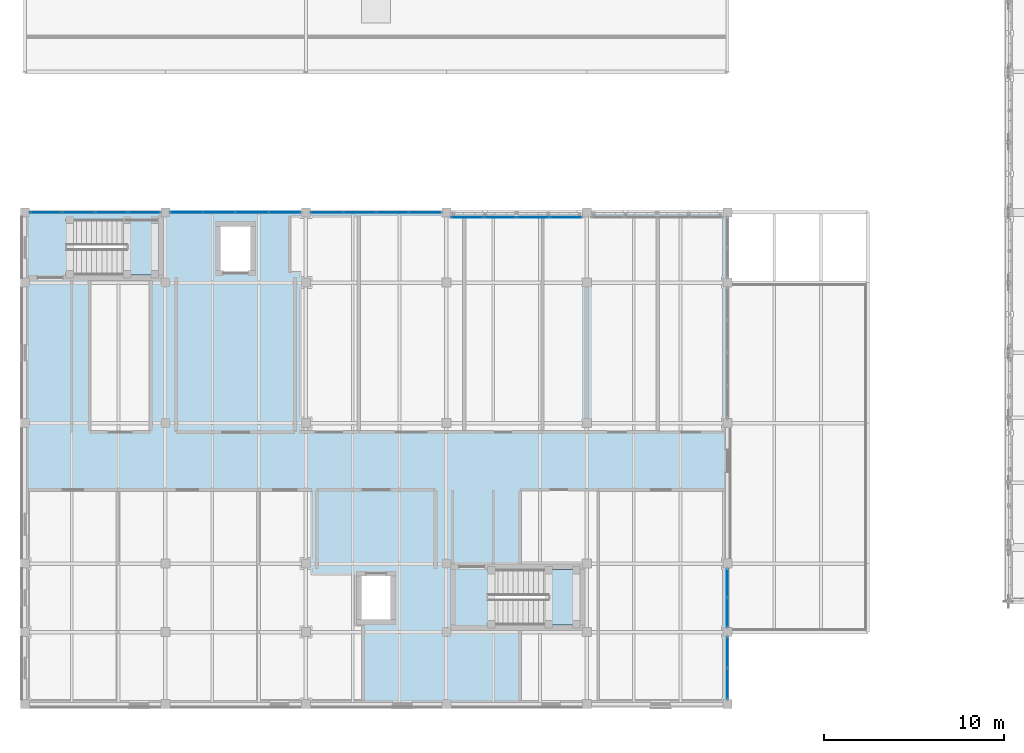
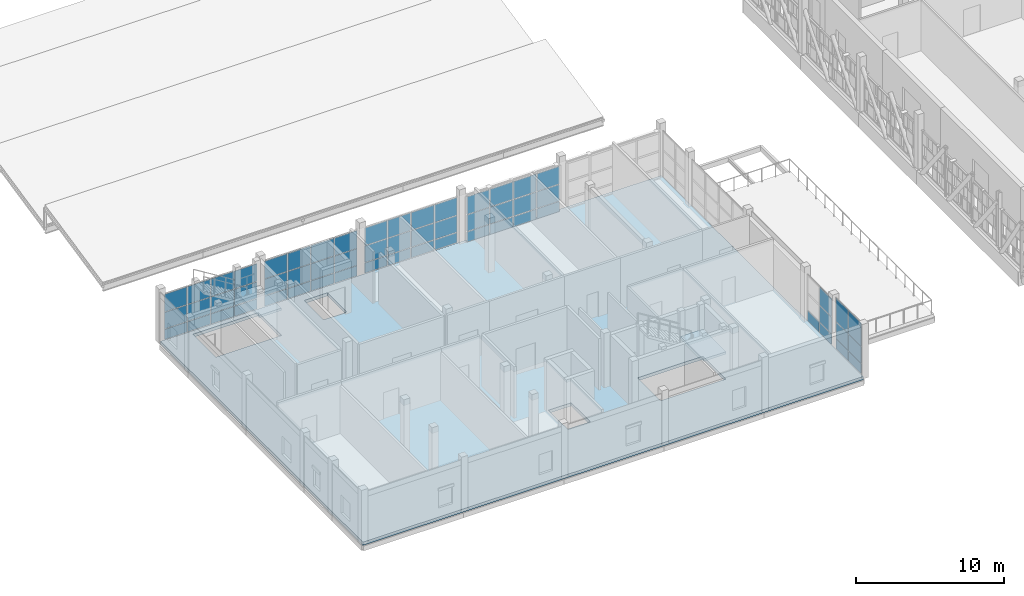
# One storey, part 44 of 89: 58 plates, 3 slabs, 8 elements without a shape of their own.
"""IFC4 building model written with IfcOpenShell, lengths in metres."""

from ifc_helpers import new_model, si_unit, direction, frame, origin, origin_2d, place, context, subcontext, project, spatial, polyline, rectangle, outline, extrude, material, layer, layer_set, type_object, element, aggregate, save


model = new_model("IFC4")

# Units and contexts
model_context = context("Model", 3, precision=1e-05, world=origin(), true_north=direction((0.0, 1.0)))
body_context = subcontext(model_context, "Body", "Model", "MODEL_VIEW")
ifc_project = project(units=[si_unit("LENGTHUNIT", "METRE"), si_unit("AREAUNIT", "SQUARE_METRE"), si_unit("VOLUMEUNIT", "CUBIC_METRE"), si_unit("PLANEANGLEUNIT", "RADIAN"), si_unit("MASSUNIT", "GRAM", prefix="KILO")], contexts=[model_context])

# Site, building, storey
site_placement = place(None, origin())
site = spatial("IfcSite", under=ifc_project, at=site_placement, CompositionType="ELEMENT")
building_placement = place(site_placement, origin())
building = spatial("IfcBuilding", under=site, at=building_placement, Name="Celorna Specialist Clinic", CompositionType="ELEMENT")
storey_placement = place(building_placement, frame((0.0, 0.0, 14.10009765625)))
storey = spatial("IfcBuildingStorey", under=building, at=storey_placement, Name="L03", CompositionType="ELEMENT", Elevation=14.10009765625)

# Curtain wall, plates
ifc_material_1 = material(Name="Thermally broken aluminium and solar-control glass curtain wall", Category="aluminium")
ifc_layer_1 = layer(ifc_material_1, 0.159912109375, Name="Thermally broken aluminium and solar-control glass curtain wall")
ifc_layer_set_1 = layer_set([ifc_layer_1], Name="Thermally broken aluminium and solar-control glass curtain wall")
curtain_wall_type_1 = type_object("IfcCurtainWallType", Name="CW-96", PredefinedType="NOTDEFINED", material=ifc_layer_set_1)
curtain_wall_1_placement = place(storey_placement, origin())
curtain_wall_1 = element("IfcCurtainWall", 1, at=curtain_wall_1_placement, inside=storey, type_object=curtain_wall_type_1, Name="Curtain wall CW-96 #172", PredefinedType="NOTDEFINED")
ifc_material_2 = material(Name="Low-e double glazing", Category="glass")
ifc_layer_2 = layer(ifc_material_2, 0.028076171875, Name="Low-e double glazing")
ifc_layer_set_2 = layer_set([ifc_layer_2], Name="Low-e double glazing")
plate_type_1 = type_object("IfcPlateType", Name="CPN-01", PredefinedType="CURTAIN_PANEL", material=ifc_layer_set_2)
plate_1_placement = place(storey_placement, frame((16.778076171875, 27.300048828125, 0.0498046875), z_axis=(0.0, 0.0, 1.0), x_axis=(1.0, 0.0, 0.0)))
plate_1 = element("IfcPlate", 2, at=plate_1_placement, type_object=plate_type_1, Name="CW-96 panel 1.1", PredefinedType="CURTAIN_PANEL", context=body_context, shape_type="SweptSolid", body=[
    extrude(rectangle(XDim=1.748046875, YDim=0.028076171875, at=origin_2d()), origin(), (0.0, 0.0, 1.0), 0.824951171875),
])
plate_2_placement = place(storey_placement, frame((16.778076171875, 27.300048828125, 0.9248046875), z_axis=(0.0, 0.0, 1.0), x_axis=(1.0, 0.0, 0.0)))
plate_2 = element("IfcPlate", 3, at=plate_2_placement, type_object=plate_type_1, Name="CW-96 panel 1.2", PredefinedType="CURTAIN_PANEL", context=body_context, shape_type="SweptSolid", body=[
    extrude(rectangle(XDim=1.748046875, YDim=0.028076171875, at=origin_2d()), origin(), (0.0, 0.0, 1.0), 1.35009765625),
])
plate_3_placement = place(storey_placement, frame((16.778076171875, 27.300048828125, 2.32470703125), z_axis=(0.0, 0.0, 1.0), x_axis=(1.0, 0.0, 0.0)))
plate_3 = element("IfcPlate", 4, at=plate_3_placement, type_object=plate_type_1, Name="CW-96 panel 1.3", PredefinedType="CURTAIN_PANEL", context=body_context, shape_type="SweptSolid", body=[
    extrude(rectangle(XDim=1.748046875, YDim=0.028076171875, at=origin_2d()), origin(), (0.0, 0.0, 1.0), 1.445068359375),
])
plate_4_placement = place(storey_placement, frame((18.58837890625, 27.300048828125, 0.0498046875), z_axis=(0.0, 0.0, 1.0), x_axis=(1.0, 0.0, 0.0)))
plate_4 = element("IfcPlate", 5, at=plate_4_placement, type_object=plate_type_1, Name="CW-96 panel 2.1", PredefinedType="CURTAIN_PANEL", context=body_context, shape_type="SweptSolid", body=[
    extrude(rectangle(XDim=1.77294921875, YDim=0.028076171875, at=origin_2d()), origin(), (0.0, 0.0, 1.0), 0.824951171875),
])
plate_5_placement = place(storey_placement, frame((18.58837890625, 27.300048828125, 0.9248046875), z_axis=(0.0, 0.0, 1.0), x_axis=(1.0, 0.0, 0.0)))
plate_5 = element("IfcPlate", 6, at=plate_5_placement, type_object=plate_type_1, Name="CW-96 panel 2.2", PredefinedType="CURTAIN_PANEL", context=body_context, shape_type="SweptSolid", body=[
    extrude(rectangle(XDim=1.77294921875, YDim=0.028076171875, at=origin_2d()), origin(), (0.0, 0.0, 1.0), 1.35009765625),
])
plate_6_placement = place(storey_placement, frame((18.58837890625, 27.300048828125, 2.32470703125), z_axis=(0.0, 0.0, 1.0), x_axis=(1.0, 0.0, 0.0)))
plate_6 = element("IfcPlate", 7, at=plate_6_placement, type_object=plate_type_1, Name="CW-96 panel 2.3", PredefinedType="CURTAIN_PANEL", context=body_context, shape_type="SweptSolid", body=[
    extrude(rectangle(XDim=1.77294921875, YDim=0.028076171875, at=origin_2d()), origin(), (0.0, 0.0, 1.0), 1.445068359375),
])
plate_7_placement = place(storey_placement, frame((20.41162109375, 27.300048828125, 0.0498046875), z_axis=(0.0, 0.0, 1.0), x_axis=(1.0, 0.0, 0.0)))
plate_7 = element("IfcPlate", 8, at=plate_7_placement, type_object=plate_type_1, Name="CW-96 panel 3.1", PredefinedType="CURTAIN_PANEL", context=body_context, shape_type="SweptSolid", body=[
    extrude(rectangle(XDim=1.77294921875, YDim=0.028076171875, at=origin_2d()), origin(), (0.0, 0.0, 1.0), 0.824951171875),
])
plate_8_placement = place(storey_placement, frame((20.41162109375, 27.300048828125, 0.9248046875), z_axis=(0.0, 0.0, 1.0), x_axis=(1.0, 0.0, 0.0)))
plate_8 = element("IfcPlate", 9, at=plate_8_placement, type_object=plate_type_1, Name="CW-96 panel 3.2", PredefinedType="CURTAIN_PANEL", context=body_context, shape_type="SweptSolid", body=[
    extrude(rectangle(XDim=1.77294921875, YDim=0.028076171875, at=origin_2d()), origin(), (0.0, 0.0, 1.0), 1.35009765625),
])
plate_9_placement = place(storey_placement, frame((20.41162109375, 27.300048828125, 2.32470703125), z_axis=(0.0, 0.0, 1.0), x_axis=(1.0, 0.0, 0.0)))
plate_9 = element("IfcPlate", 10, at=plate_9_placement, type_object=plate_type_1, Name="CW-96 panel 3.3", PredefinedType="CURTAIN_PANEL", context=body_context, shape_type="SweptSolid", body=[
    extrude(rectangle(XDim=1.77294921875, YDim=0.028076171875, at=origin_2d()), origin(), (0.0, 0.0, 1.0), 1.445068359375),
])
plate_10_placement = place(storey_placement, frame((22.221923828125, 27.300048828125, 0.0498046875), z_axis=(0.0, 0.0, 1.0), x_axis=(1.0, 0.0, 0.0)))
plate_10 = element("IfcPlate", 11, at=plate_10_placement, type_object=plate_type_1, Name="CW-96 panel 4.1", PredefinedType="CURTAIN_PANEL", context=body_context, shape_type="SweptSolid", body=[
    extrude(rectangle(XDim=1.748046875, YDim=0.028076171875, at=origin_2d()), origin(), (0.0, 0.0, 1.0), 0.824951171875),
])
plate_11_placement = place(storey_placement, frame((22.221923828125, 27.300048828125, 0.9248046875), z_axis=(0.0, 0.0, 1.0), x_axis=(1.0, 0.0, 0.0)))
plate_11 = element("IfcPlate", 12, at=plate_11_placement, type_object=plate_type_1, Name="CW-96 panel 4.2", PredefinedType="CURTAIN_PANEL", context=body_context, shape_type="SweptSolid", body=[
    extrude(rectangle(XDim=1.748046875, YDim=0.028076171875, at=origin_2d()), origin(), (0.0, 0.0, 1.0), 1.35009765625),
])
plate_12_placement = place(storey_placement, frame((22.221923828125, 27.300048828125, 2.32470703125), z_axis=(0.0, 0.0, 1.0), x_axis=(1.0, 0.0, 0.0)))
plate_12 = element("IfcPlate", 13, at=plate_12_placement, type_object=plate_type_1, Name="CW-96 panel 4.3", PredefinedType="CURTAIN_PANEL", context=body_context, shape_type="SweptSolid", body=[
    extrude(rectangle(XDim=1.748046875, YDim=0.028076171875, at=origin_2d()), origin(), (0.0, 0.0, 1.0), 1.445068359375),
])
aggregate(curtain_wall_1, [plate_1, plate_2, plate_3, plate_4, plate_5, plate_6, plate_7, plate_8, plate_9, plate_10, plate_11, plate_12])

ifc_layer_3 = layer(ifc_material_1, 0.159912109375, Name="Thermally broken aluminium and solar-control glass curtain wall")
ifc_layer_set_3 = layer_set([ifc_layer_3], Name="Thermally broken aluminium and solar-control glass curtain wall")
curtain_wall_type_2 = type_object("IfcCurtainWallType", Name="CW-94", PredefinedType="NOTDEFINED", material=ifc_layer_set_3)
curtain_wall_2_placement = place(storey_placement, origin())
curtain_wall_2 = element("IfcCurtainWall", 14, at=curtain_wall_2_placement, inside=storey, type_object=curtain_wall_type_2, Name="Curtain wall CW-94 #170", PredefinedType="NOTDEFINED")
ifc_material_3 = material(Name="Solar-control triple glazing", Category="glass")
ifc_layer_4 = layer(ifc_material_3, 0.035888671875, Name="Solar-control triple glazing")
ifc_layer_set_4 = layer_set([ifc_layer_4], Name="Solar-control triple glazing")
plate_type_2 = type_object("IfcPlateType", Name="CPN-02", PredefinedType="CURTAIN_PANEL", material=ifc_layer_set_4)
plate_13_placement = place(storey_placement, frame((1.177978515625, 27.300048828125, 0.0498046875), z_axis=(0.0, 0.0, 1.0), x_axis=(1.0, 0.0, 0.0)))
plate_13 = element("IfcPlate", 15, at=plate_13_placement, type_object=plate_type_2, Name="CW-94 panel 1.1", PredefinedType="CURTAIN_PANEL", context=body_context, shape_type="SweptSolid", body=[
    extrude(rectangle(XDim=1.748046875, YDim=0.035888671875, at=origin_2d()), origin(), (0.0, 0.0, 1.0), 0.824951171875),
])
plate_14_placement = place(storey_placement, frame((1.177978515625, 27.300048828125, 0.9248046875), z_axis=(0.0, 0.0, 1.0), x_axis=(1.0, 0.0, 0.0)))
plate_14 = element("IfcPlate", 16, at=plate_14_placement, type_object=plate_type_2, Name="CW-94 panel 1.2", PredefinedType="CURTAIN_PANEL", context=body_context, shape_type="SweptSolid", body=[
    extrude(rectangle(XDim=1.748046875, YDim=0.035888671875, at=origin_2d()), origin(), (0.0, 0.0, 1.0), 1.35009765625),
])
plate_15_placement = place(storey_placement, frame((1.177978515625, 27.300048828125, 2.32470703125), z_axis=(0.0, 0.0, 1.0), x_axis=(1.0, 0.0, 0.0)))
plate_15 = element("IfcPlate", 17, at=plate_15_placement, type_object=plate_type_2, Name="CW-94 panel 1.3", PredefinedType="CURTAIN_PANEL", context=body_context, shape_type="SweptSolid", body=[
    extrude(rectangle(XDim=1.748046875, YDim=0.035888671875, at=origin_2d()), origin(), (0.0, 0.0, 1.0), 1.445068359375),
])
plate_16_placement = place(storey_placement, frame((2.988525390625, 27.300048828125, 0.0498046875), z_axis=(0.0, 0.0, 1.0), x_axis=(1.0, 0.0, 0.0)))
plate_16 = element("IfcPlate", 18, at=plate_16_placement, type_object=plate_type_2, Name="CW-94 panel 2.1", PredefinedType="CURTAIN_PANEL", context=body_context, shape_type="SweptSolid", body=[
    extrude(rectangle(XDim=1.77294921875, YDim=0.035888671875, at=origin_2d()), origin(), (0.0, 0.0, 1.0), 0.824951171875),
])
plate_17_placement = place(storey_placement, frame((2.988525390625, 27.300048828125, 0.9248046875), z_axis=(0.0, 0.0, 1.0), x_axis=(1.0, 0.0, 0.0)))
plate_17 = element("IfcPlate", 19, at=plate_17_placement, type_object=plate_type_2, Name="CW-94 panel 2.2", PredefinedType="CURTAIN_PANEL", context=body_context, shape_type="SweptSolid", body=[
    extrude(rectangle(XDim=1.77294921875, YDim=0.035888671875, at=origin_2d()), origin(), (0.0, 0.0, 1.0), 1.35009765625),
])
plate_18_placement = place(storey_placement, frame((2.988525390625, 27.300048828125, 2.32470703125), z_axis=(0.0, 0.0, 1.0), x_axis=(1.0, 0.0, 0.0)))
plate_18 = element("IfcPlate", 20, at=plate_18_placement, type_object=plate_type_2, Name="CW-94 panel 2.3", PredefinedType="CURTAIN_PANEL", context=body_context, shape_type="SweptSolid", body=[
    extrude(rectangle(XDim=1.77294921875, YDim=0.035888671875, at=origin_2d()), origin(), (0.0, 0.0, 1.0), 1.445068359375),
])
plate_19_placement = place(storey_placement, frame((4.8115234375, 27.300048828125, 0.0498046875), z_axis=(0.0, 0.0, 1.0), x_axis=(1.0, 0.0, 0.0)))
plate_19 = element("IfcPlate", 21, at=plate_19_placement, type_object=plate_type_2, Name="CW-94 panel 3.1", PredefinedType="CURTAIN_PANEL", context=body_context, shape_type="SweptSolid", body=[
    extrude(rectangle(XDim=1.77294921875, YDim=0.035888671875, at=origin_2d()), origin(), (0.0, 0.0, 1.0), 0.824951171875),
])
plate_20_placement = place(storey_placement, frame((4.8115234375, 27.300048828125, 0.9248046875), z_axis=(0.0, 0.0, 1.0), x_axis=(1.0, 0.0, 0.0)))
plate_20 = element("IfcPlate", 22, at=plate_20_placement, type_object=plate_type_2, Name="CW-94 panel 3.2", PredefinedType="CURTAIN_PANEL", context=body_context, shape_type="SweptSolid", body=[
    extrude(rectangle(XDim=1.77294921875, YDim=0.035888671875, at=origin_2d()), origin(), (0.0, 0.0, 1.0), 1.35009765625),
])
plate_21_placement = place(storey_placement, frame((4.8115234375, 27.300048828125, 2.32470703125), z_axis=(0.0, 0.0, 1.0), x_axis=(1.0, 0.0, 0.0)))
plate_21 = element("IfcPlate", 23, at=plate_21_placement, type_object=plate_type_2, Name="CW-94 panel 3.3", PredefinedType="CURTAIN_PANEL", context=body_context, shape_type="SweptSolid", body=[
    extrude(rectangle(XDim=1.77294921875, YDim=0.035888671875, at=origin_2d()), origin(), (0.0, 0.0, 1.0), 1.445068359375),
])
plate_22_placement = place(storey_placement, frame((6.6220703125, 27.300048828125, 0.0498046875), z_axis=(0.0, 0.0, 1.0), x_axis=(1.0, 0.0, 0.0)))
plate_22 = element("IfcPlate", 24, at=plate_22_placement, type_object=plate_type_2, Name="CW-94 panel 4.1", PredefinedType="CURTAIN_PANEL", context=body_context, shape_type="SweptSolid", body=[
    extrude(rectangle(XDim=1.748046875, YDim=0.035888671875, at=origin_2d()), origin(), (0.0, 0.0, 1.0), 0.824951171875),
])
plate_23_placement = place(storey_placement, frame((6.6220703125, 27.300048828125, 0.9248046875), z_axis=(0.0, 0.0, 1.0), x_axis=(1.0, 0.0, 0.0)))
plate_23 = element("IfcPlate", 25, at=plate_23_placement, type_object=plate_type_2, Name="CW-94 panel 4.2", PredefinedType="CURTAIN_PANEL", context=body_context, shape_type="SweptSolid", body=[
    extrude(rectangle(XDim=1.748046875, YDim=0.035888671875, at=origin_2d()), origin(), (0.0, 0.0, 1.0), 1.35009765625),
])
plate_24_placement = place(storey_placement, frame((6.6220703125, 27.300048828125, 2.32470703125), z_axis=(0.0, 0.0, 1.0), x_axis=(1.0, 0.0, 0.0)))
plate_24 = element("IfcPlate", 26, at=plate_24_placement, type_object=plate_type_2, Name="CW-94 panel 4.3", PredefinedType="CURTAIN_PANEL", context=body_context, shape_type="SweptSolid", body=[
    extrude(rectangle(XDim=1.748046875, YDim=0.035888671875, at=origin_2d()), origin(), (0.0, 0.0, 1.0), 1.445068359375),
])
aggregate(curtain_wall_2, [plate_13, plate_14, plate_15, plate_16, plate_17, plate_18, plate_19, plate_20, plate_21, plate_22, plate_23, plate_24])

curtain_wall_3_placement = place(storey_placement, origin())
curtain_wall_3 = element("IfcCurtainWall", 27, at=curtain_wall_3_placement, inside=storey, type_object=curtain_wall_type_2, Name="Curtain wall CW-94 #173", PredefinedType="NOTDEFINED")
plate_25_placement = place(storey_placement, frame((24.577880859375, 27.02001953125, 0.0498046875), z_axis=(0.0, 0.0, 1.0), x_axis=(1.0, 0.0, 0.0)))
plate_25 = element("IfcPlate", 28, at=plate_25_placement, type_object=plate_type_2, Name="CW-94 panel 1.1", PredefinedType="CURTAIN_PANEL", context=body_context, shape_type="SweptSolid", body=[
    extrude(rectangle(XDim=1.748046875, YDim=0.035888671875, at=origin_2d()), origin(), (0.0, 0.0, 1.0), 0.824951171875),
])
plate_26_placement = place(storey_placement, frame((24.577880859375, 27.02001953125, 0.9248046875), z_axis=(0.0, 0.0, 1.0), x_axis=(1.0, 0.0, 0.0)))
plate_26 = element("IfcPlate", 29, at=plate_26_placement, type_object=plate_type_2, Name="CW-94 panel 1.2", PredefinedType="CURTAIN_PANEL", context=body_context, shape_type="SweptSolid", body=[
    extrude(rectangle(XDim=1.748046875, YDim=0.035888671875, at=origin_2d()), origin(), (0.0, 0.0, 1.0), 1.35009765625),
])
plate_27_placement = place(storey_placement, frame((24.577880859375, 27.02001953125, 2.32470703125), z_axis=(0.0, 0.0, 1.0), x_axis=(1.0, 0.0, 0.0)))
plate_27 = element("IfcPlate", 30, at=plate_27_placement, type_object=plate_type_2, Name="CW-94 panel 1.3", PredefinedType="CURTAIN_PANEL", context=body_context, shape_type="SweptSolid", body=[
    extrude(rectangle(XDim=1.748046875, YDim=0.035888671875, at=origin_2d()), origin(), (0.0, 0.0, 1.0), 1.445068359375),
])
plate_28_placement = place(storey_placement, frame((26.388427734375, 27.02001953125, 0.0498046875), z_axis=(0.0, 0.0, 1.0), x_axis=(1.0, 0.0, 0.0)))
plate_28 = element("IfcPlate", 31, at=plate_28_placement, type_object=plate_type_2, Name="CW-94 panel 2.1", PredefinedType="CURTAIN_PANEL", context=body_context, shape_type="SweptSolid", body=[
    extrude(rectangle(XDim=1.77294921875, YDim=0.035888671875, at=origin_2d()), origin(), (0.0, 0.0, 1.0), 0.824951171875),
])
plate_29_placement = place(storey_placement, frame((26.388427734375, 27.02001953125, 0.9248046875), z_axis=(0.0, 0.0, 1.0), x_axis=(1.0, 0.0, 0.0)))
plate_29 = element("IfcPlate", 32, at=plate_29_placement, type_object=plate_type_2, Name="CW-94 panel 2.2", PredefinedType="CURTAIN_PANEL", context=body_context, shape_type="SweptSolid", body=[
    extrude(rectangle(XDim=1.77294921875, YDim=0.035888671875, at=origin_2d()), origin(), (0.0, 0.0, 1.0), 1.35009765625),
])
plate_30_placement = place(storey_placement, frame((26.388427734375, 27.02001953125, 2.32470703125), z_axis=(0.0, 0.0, 1.0), x_axis=(1.0, 0.0, 0.0)))
plate_30 = element("IfcPlate", 33, at=plate_30_placement, type_object=plate_type_2, Name="CW-94 panel 2.3", PredefinedType="CURTAIN_PANEL", context=body_context, shape_type="SweptSolid", body=[
    extrude(rectangle(XDim=1.77294921875, YDim=0.035888671875, at=origin_2d()), origin(), (0.0, 0.0, 1.0), 1.445068359375),
])
plate_31_placement = place(storey_placement, frame((28.21142578125, 27.02001953125, 0.0498046875), z_axis=(0.0, 0.0, 1.0), x_axis=(1.0, 0.0, 0.0)))
plate_31 = element("IfcPlate", 34, at=plate_31_placement, type_object=plate_type_2, Name="CW-94 panel 3.1", PredefinedType="CURTAIN_PANEL", context=body_context, shape_type="SweptSolid", body=[
    extrude(rectangle(XDim=1.77294921875, YDim=0.035888671875, at=origin_2d()), origin(), (0.0, 0.0, 1.0), 0.824951171875),
])
plate_32_placement = place(storey_placement, frame((28.21142578125, 27.02001953125, 0.9248046875), z_axis=(0.0, 0.0, 1.0), x_axis=(1.0, 0.0, 0.0)))
plate_32 = element("IfcPlate", 35, at=plate_32_placement, type_object=plate_type_2, Name="CW-94 panel 3.2", PredefinedType="CURTAIN_PANEL", context=body_context, shape_type="SweptSolid", body=[
    extrude(rectangle(XDim=1.77294921875, YDim=0.035888671875, at=origin_2d()), origin(), (0.0, 0.0, 1.0), 1.35009765625),
])
plate_33_placement = place(storey_placement, frame((28.21142578125, 27.02001953125, 2.32470703125), z_axis=(0.0, 0.0, 1.0), x_axis=(1.0, 0.0, 0.0)))
plate_33 = element("IfcPlate", 36, at=plate_33_placement, type_object=plate_type_2, Name="CW-94 panel 3.3", PredefinedType="CURTAIN_PANEL", context=body_context, shape_type="SweptSolid", body=[
    extrude(rectangle(XDim=1.77294921875, YDim=0.035888671875, at=origin_2d()), origin(), (0.0, 0.0, 1.0), 1.445068359375),
])
plate_34_placement = place(storey_placement, frame((30.02197265625, 27.02001953125, 0.0498046875), z_axis=(0.0, 0.0, 1.0), x_axis=(1.0, 0.0, 0.0)))
plate_34 = element("IfcPlate", 37, at=plate_34_placement, type_object=plate_type_2, Name="CW-94 panel 4.1", PredefinedType="CURTAIN_PANEL", context=body_context, shape_type="SweptSolid", body=[
    extrude(rectangle(XDim=1.748046875, YDim=0.035888671875, at=origin_2d()), origin(), (0.0, 0.0, 1.0), 0.824951171875),
])
plate_35_placement = place(storey_placement, frame((30.02197265625, 27.02001953125, 0.9248046875), z_axis=(0.0, 0.0, 1.0), x_axis=(1.0, 0.0, 0.0)))
plate_35 = element("IfcPlate", 38, at=plate_35_placement, type_object=plate_type_2, Name="CW-94 panel 4.2", PredefinedType="CURTAIN_PANEL", context=body_context, shape_type="SweptSolid", body=[
    extrude(rectangle(XDim=1.748046875, YDim=0.035888671875, at=origin_2d()), origin(), (0.0, 0.0, 1.0), 1.35009765625),
])
plate_36_placement = place(storey_placement, frame((30.02197265625, 27.02001953125, 2.32470703125), z_axis=(0.0, 0.0, 1.0), x_axis=(1.0, 0.0, 0.0)))
plate_36 = element("IfcPlate", 39, at=plate_36_placement, type_object=plate_type_2, Name="CW-94 panel 4.3", PredefinedType="CURTAIN_PANEL", context=body_context, shape_type="SweptSolid", body=[
    extrude(rectangle(XDim=1.748046875, YDim=0.035888671875, at=origin_2d()), origin(), (0.0, 0.0, 1.0), 1.445068359375),
])
aggregate(curtain_wall_3, [plate_25, plate_26, plate_27, plate_28, plate_29, plate_30, plate_31, plate_32, plate_33, plate_34, plate_35, plate_36])

ifc_layer_5 = layer(ifc_material_1, 0.159912109375, Name="Thermally broken aluminium and solar-control glass curtain wall")
ifc_layer_set_5 = layer_set([ifc_layer_5], Name="Thermally broken aluminium and solar-control glass curtain wall")
curtain_wall_type_3 = type_object("IfcCurtainWallType", Name="CW-98", PredefinedType="NOTDEFINED", material=ifc_layer_set_5)
curtain_wall_4_placement = place(storey_placement, origin())
curtain_wall_4 = element("IfcCurtainWall", 40, at=curtain_wall_4_placement, inside=storey, type_object=curtain_wall_type_3, Name="Curtain wall CW-98 #175", PredefinedType="NOTDEFINED")
plate_37_placement = place(storey_placement, frame((39.0, 2.860595703125, 0.0498046875), z_axis=(0.0, 0.0, 1.0), x_axis=(0.0, -1.0, 0.0)))
plate_37 = element("IfcPlate", 41, at=plate_37_placement, type_object=plate_type_2, Name="CW-98 panel 1.1", PredefinedType="CURTAIN_PANEL", context=body_context, shape_type="SweptSolid", body=[
    extrude(rectangle(XDim=1.6708984375, YDim=0.035888671875, at=origin_2d()), origin(), (0.0, 0.0, 1.0), 0.824951171875),
])
plate_38_placement = place(storey_placement, frame((39.0, 2.860595703125, 0.9248046875), z_axis=(0.0, 0.0, 1.0), x_axis=(0.0, -1.0, 0.0)))
plate_38 = element("IfcPlate", 42, at=plate_38_placement, type_object=plate_type_2, Name="CW-98 panel 1.2", PredefinedType="CURTAIN_PANEL", context=body_context, shape_type="SweptSolid", body=[
    extrude(rectangle(XDim=1.6708984375, YDim=0.035888671875, at=origin_2d()), origin(), (0.0, 0.0, 1.0), 1.35009765625),
])
plate_39_placement = place(storey_placement, frame((39.0, 2.860595703125, 2.32470703125), z_axis=(0.0, 0.0, 1.0), x_axis=(0.0, -1.0, 0.0)))
plate_39 = element("IfcPlate", 43, at=plate_39_placement, type_object=plate_type_2, Name="CW-98 panel 1.3", PredefinedType="CURTAIN_PANEL", context=body_context, shape_type="SweptSolid", body=[
    extrude(rectangle(XDim=1.6708984375, YDim=0.035888671875, at=origin_2d()), origin(), (0.0, 0.0, 1.0), 1.885009765625),
])
plate_40_placement = place(storey_placement, frame((39.0, 1.139404296875, 0.0498046875), z_axis=(0.0, 0.0, 1.0), x_axis=(0.0, -1.0, 0.0)))
plate_40 = element("IfcPlate", 44, at=plate_40_placement, type_object=plate_type_2, Name="CW-98 panel 2.1", PredefinedType="CURTAIN_PANEL", context=body_context, shape_type="SweptSolid", body=[
    extrude(rectangle(XDim=1.6708984375, YDim=0.035888671875, at=origin_2d()), origin(), (0.0, 0.0, 1.0), 0.824951171875),
])
plate_41_placement = place(storey_placement, frame((39.0, 1.139404296875, 0.9248046875), z_axis=(0.0, 0.0, 1.0), x_axis=(0.0, -1.0, 0.0)))
plate_41 = element("IfcPlate", 45, at=plate_41_placement, type_object=plate_type_2, Name="CW-98 panel 2.2", PredefinedType="CURTAIN_PANEL", context=body_context, shape_type="SweptSolid", body=[
    extrude(rectangle(XDim=1.6708984375, YDim=0.035888671875, at=origin_2d()), origin(), (0.0, 0.0, 1.0), 1.35009765625),
])
plate_42_placement = place(storey_placement, frame((39.0, 1.139404296875, 2.32470703125), z_axis=(0.0, 0.0, 1.0), x_axis=(0.0, -1.0, 0.0)))
plate_42 = element("IfcPlate", 46, at=plate_42_placement, type_object=plate_type_2, Name="CW-98 panel 2.3", PredefinedType="CURTAIN_PANEL", context=body_context, shape_type="SweptSolid", body=[
    extrude(rectangle(XDim=1.6708984375, YDim=0.035888671875, at=origin_2d()), origin(), (0.0, 0.0, 1.0), 1.885009765625),
])
aggregate(curtain_wall_4, [plate_37, plate_38, plate_39, plate_40, plate_41, plate_42])

ifc_layer_6 = layer(ifc_material_1, 0.159912109375, Name="Thermally broken aluminium and solar-control glass curtain wall")
ifc_layer_set_6 = layer_set([ifc_layer_6], Name="Thermally broken aluminium and solar-control glass curtain wall")
curtain_wall_type_4 = type_object("IfcCurtainWallType", Name="CW-95", PredefinedType="NOTDEFINED", material=ifc_layer_set_6)
curtain_wall_5_placement = place(storey_placement, origin())
curtain_wall_5 = element("IfcCurtainWall", 47, at=curtain_wall_5_placement, inside=storey, type_object=curtain_wall_type_4, Name="Curtain wall CW-95 #171", PredefinedType="NOTDEFINED")
ifc_material_4 = material(Name="Glazed polychrome ceramic insulated spandrel")
ifc_layer_7 = layer(ifc_material_4, 0.0439453125, Name="Glazed polychrome ceramic insulated spandrel")
ifc_layer_set_7 = layer_set([ifc_layer_7], Name="Glazed polychrome ceramic insulated spandrel")
plate_type_3 = type_object("IfcPlateType", Name="CPN-03", PredefinedType="CURTAIN_PANEL", material=ifc_layer_set_7)
plate_43_placement = place(storey_placement, frame((8.97802734375, 27.300048828125, 0.0498046875), z_axis=(0.0, 0.0, 1.0), x_axis=(1.0, 0.0, 0.0)))
plate_43 = element("IfcPlate", 48, at=plate_43_placement, type_object=plate_type_3, Name="CW-95 panel 1.1", PredefinedType="CURTAIN_PANEL", context=body_context, shape_type="SweptSolid", body=[
    extrude(rectangle(XDim=1.748046875, YDim=0.0439453125, at=origin_2d()), origin(), (0.0, 0.0, 1.0), 0.824951171875),
])
plate_44_placement = place(storey_placement, frame((8.97802734375, 27.300048828125, 0.9248046875), z_axis=(0.0, 0.0, 1.0), x_axis=(1.0, 0.0, 0.0)))
plate_44 = element("IfcPlate", 49, at=plate_44_placement, type_object=plate_type_3, Name="CW-95 panel 1.2", PredefinedType="CURTAIN_PANEL", context=body_context, shape_type="SweptSolid", body=[
    extrude(rectangle(XDim=1.748046875, YDim=0.0439453125, at=origin_2d()), origin(), (0.0, 0.0, 1.0), 1.35009765625),
])
plate_45_placement = place(storey_placement, frame((8.97802734375, 27.300048828125, 2.32470703125), z_axis=(0.0, 0.0, 1.0), x_axis=(1.0, 0.0, 0.0)))
plate_45 = element("IfcPlate", 50, at=plate_45_placement, type_object=plate_type_3, Name="CW-95 panel 1.3", PredefinedType="CURTAIN_PANEL", context=body_context, shape_type="SweptSolid", body=[
    extrude(rectangle(XDim=1.748046875, YDim=0.0439453125, at=origin_2d()), origin(), (0.0, 0.0, 1.0), 1.445068359375),
])
plate_46_placement = place(storey_placement, frame((10.78857421875, 27.300048828125, 0.0498046875), z_axis=(0.0, 0.0, 1.0), x_axis=(1.0, 0.0, 0.0)))
plate_46 = element("IfcPlate", 51, at=plate_46_placement, type_object=plate_type_3, Name="CW-95 panel 2.1", PredefinedType="CURTAIN_PANEL", context=body_context, shape_type="SweptSolid", body=[
    extrude(rectangle(XDim=1.77294921875, YDim=0.0439453125, at=origin_2d()), origin(), (0.0, 0.0, 1.0), 0.824951171875),
])
plate_47_placement = place(storey_placement, frame((10.78857421875, 27.300048828125, 0.9248046875), z_axis=(0.0, 0.0, 1.0), x_axis=(1.0, 0.0, 0.0)))
plate_47 = element("IfcPlate", 52, at=plate_47_placement, type_object=plate_type_3, Name="CW-95 panel 2.2", PredefinedType="CURTAIN_PANEL", context=body_context, shape_type="SweptSolid", body=[
    extrude(rectangle(XDim=1.77294921875, YDim=0.0439453125, at=origin_2d()), origin(), (0.0, 0.0, 1.0), 1.35009765625),
])
plate_48_placement = place(storey_placement, frame((10.78857421875, 27.300048828125, 2.32470703125), z_axis=(0.0, 0.0, 1.0), x_axis=(1.0, 0.0, 0.0)))
plate_48 = element("IfcPlate", 53, at=plate_48_placement, type_object=plate_type_3, Name="CW-95 panel 2.3", PredefinedType="CURTAIN_PANEL", context=body_context, shape_type="SweptSolid", body=[
    extrude(rectangle(XDim=1.77294921875, YDim=0.0439453125, at=origin_2d()), origin(), (0.0, 0.0, 1.0), 1.445068359375),
])
plate_49_placement = place(storey_placement, frame((12.611572265625, 27.300048828125, 0.0498046875), z_axis=(0.0, 0.0, 1.0), x_axis=(1.0, 0.0, 0.0)))
plate_49 = element("IfcPlate", 54, at=plate_49_placement, type_object=plate_type_3, Name="CW-95 panel 3.1", PredefinedType="CURTAIN_PANEL", context=body_context, shape_type="SweptSolid", body=[
    extrude(rectangle(XDim=1.77294921875, YDim=0.0439453125, at=origin_2d()), origin(), (0.0, 0.0, 1.0), 0.824951171875),
])
plate_50_placement = place(storey_placement, frame((12.611572265625, 27.300048828125, 0.9248046875), z_axis=(0.0, 0.0, 1.0), x_axis=(1.0, 0.0, 0.0)))
plate_50 = element("IfcPlate", 55, at=plate_50_placement, type_object=plate_type_3, Name="CW-95 panel 3.2", PredefinedType="CURTAIN_PANEL", context=body_context, shape_type="SweptSolid", body=[
    extrude(rectangle(XDim=1.77294921875, YDim=0.0439453125, at=origin_2d()), origin(), (0.0, 0.0, 1.0), 1.35009765625),
])
plate_51_placement = place(storey_placement, frame((12.611572265625, 27.300048828125, 2.32470703125), z_axis=(0.0, 0.0, 1.0), x_axis=(1.0, 0.0, 0.0)))
plate_51 = element("IfcPlate", 56, at=plate_51_placement, type_object=plate_type_3, Name="CW-95 panel 3.3", PredefinedType="CURTAIN_PANEL", context=body_context, shape_type="SweptSolid", body=[
    extrude(rectangle(XDim=1.77294921875, YDim=0.0439453125, at=origin_2d()), origin(), (0.0, 0.0, 1.0), 1.445068359375),
])
plate_52_placement = place(storey_placement, frame((14.422119140625, 27.300048828125, 0.0498046875), z_axis=(0.0, 0.0, 1.0), x_axis=(1.0, 0.0, 0.0)))
plate_52 = element("IfcPlate", 57, at=plate_52_placement, type_object=plate_type_3, Name="CW-95 panel 4.1", PredefinedType="CURTAIN_PANEL", context=body_context, shape_type="SweptSolid", body=[
    extrude(rectangle(XDim=1.748046875, YDim=0.0439453125, at=origin_2d()), origin(), (0.0, 0.0, 1.0), 0.824951171875),
])
plate_53_placement = place(storey_placement, frame((14.422119140625, 27.300048828125, 0.9248046875), z_axis=(0.0, 0.0, 1.0), x_axis=(1.0, 0.0, 0.0)))
plate_53 = element("IfcPlate", 58, at=plate_53_placement, type_object=plate_type_3, Name="CW-95 panel 4.2", PredefinedType="CURTAIN_PANEL", context=body_context, shape_type="SweptSolid", body=[
    extrude(rectangle(XDim=1.748046875, YDim=0.0439453125, at=origin_2d()), origin(), (0.0, 0.0, 1.0), 1.35009765625),
])
plate_54_placement = place(storey_placement, frame((14.422119140625, 27.300048828125, 2.32470703125), z_axis=(0.0, 0.0, 1.0), x_axis=(1.0, 0.0, 0.0)))
plate_54 = element("IfcPlate", 59, at=plate_54_placement, type_object=plate_type_3, Name="CW-95 panel 4.3", PredefinedType="CURTAIN_PANEL", context=body_context, shape_type="SweptSolid", body=[
    extrude(rectangle(XDim=1.748046875, YDim=0.0439453125, at=origin_2d()), origin(), (0.0, 0.0, 1.0), 1.445068359375),
])
aggregate(curtain_wall_5, [plate_43, plate_44, plate_45, plate_46, plate_47, plate_48, plate_49, plate_50, plate_51, plate_52, plate_53, plate_54])

ifc_layer_8 = layer(ifc_material_1, 0.159912109375, Name="Thermally broken aluminium and solar-control glass curtain wall")
ifc_layer_set_8 = layer_set([ifc_layer_8], Name="Thermally broken aluminium and solar-control glass curtain wall")
curtain_wall_type_5 = type_object("IfcCurtainWallType", Name="CW-99", PredefinedType="NOTDEFINED", material=ifc_layer_set_8)
curtain_wall_6_placement = place(storey_placement, origin())
curtain_wall_6 = element("IfcCurtainWall", 60, at=curtain_wall_6_placement, inside=storey, type_object=curtain_wall_type_5, Name="Curtain wall CW-99 #176", PredefinedType="NOTDEFINED")
plate_55_placement = place(storey_placement, frame((39.0, 6.71044921875, 0.0498046875), z_axis=(0.0, 0.0, 1.0), x_axis=(0.0, -1.0, 0.0)))
plate_55 = element("IfcPlate", 61, at=plate_55_placement, type_object=plate_type_3, Name="CW-99 panel 1.1", PredefinedType="CURTAIN_PANEL", context=body_context, shape_type="SweptSolid", body=[
    extrude(rectangle(XDim=1.571044921875, YDim=0.0439453125, at=origin_2d()), origin(), (0.0, 0.0, 1.0), 0.824951171875),
])
plate_56_placement = place(storey_placement, frame((39.0, 5.089599609375, 0.0498046875), z_axis=(0.0, 0.0, 1.0), x_axis=(0.0, -1.0, 0.0)))
plate_56 = element("IfcPlate", 62, at=plate_56_placement, type_object=plate_type_3, Name="CW-99 panel 2.1", PredefinedType="CURTAIN_PANEL", context=body_context, shape_type="SweptSolid", body=[
    extrude(rectangle(XDim=1.571044921875, YDim=0.0439453125, at=origin_2d()), origin(), (0.0, 0.0, 1.0), 0.824951171875),
])
plate_57_placement = place(storey_placement, frame((39.0, 5.089599609375, 0.9248046875), z_axis=(0.0, 0.0, 1.0), x_axis=(0.0, -1.0, 0.0)))
plate_57 = element("IfcPlate", 63, at=plate_57_placement, type_object=plate_type_3, Name="CW-99 panel 2.2", PredefinedType="CURTAIN_PANEL", context=body_context, shape_type="SweptSolid", body=[
    extrude(rectangle(XDim=1.571044921875, YDim=0.0439453125, at=origin_2d()), origin(), (0.0, 0.0, 1.0), 1.35009765625),
])
plate_58_placement = place(storey_placement, frame((39.0, 5.089599609375, 2.32470703125), z_axis=(0.0, 0.0, 1.0), x_axis=(0.0, -1.0, 0.0)))
plate_58 = element("IfcPlate", 64, at=plate_58_placement, type_object=plate_type_3, Name="CW-99 panel 2.3", PredefinedType="CURTAIN_PANEL", context=body_context, shape_type="SweptSolid", body=[
    extrude(rectangle(XDim=1.571044921875, YDim=0.0439453125, at=origin_2d()), origin(), (0.0, 0.0, 1.0), 1.465087890625),
])
aggregate(curtain_wall_6, [plate_55, plate_56, plate_57, plate_58])

# Slab
ifc_material_5 = material(Name="Concrete C35/45", Category="concrete")
ifc_layer_9 = layer(ifc_material_5, 0.260009765625, Name="Concrete C35/45")
ifc_layer_set_9 = layer_set([ifc_layer_9], Name="Concrete C35/45")
slab_type_1 = type_object("IfcSlabType", Name="SL-08", PredefinedType="FLOOR", material=ifc_layer_set_9)
slab_1_placement = place(storey_placement, frame((0.0, 0.0, -0.260009765625)))
element("IfcSlab", 65, at=slab_1_placement, inside=storey, type_object=slab_type_1, Name="V5 L03 structural slab SL-08", PredefinedType="FLOOR", context=body_context, shape_type="SweptSolid", body=[
    extrude(outline(polyline([(39.0, 0.0), (39.0, 27.300048828125), (0.0, 27.300048828125), (0.0, 0.0), (39.0, 0.0)]), holes=[polyline([(2.31005859375, 23.820068359375), (7.409912109375, 23.820068359375), (7.409912109375, 26.919921875), (2.31005859375, 26.919921875), (2.31005859375, 23.820068359375)]), polyline([(25.7099609375, 4.3798828125), (30.81005859375, 4.3798828125), (30.81005859375, 7.47998046875), (25.7099609375, 7.47998046875), (25.7099609375, 4.3798828125)]), polyline([(10.794921875, 23.9951171875), (12.60498046875, 23.9951171875), (12.60498046875, 26.60498046875), (10.794921875, 26.60498046875), (10.794921875, 23.9951171875)]), polyline([(18.6201171875, 4.6201171875), (20.3798828125, 4.6201171875), (20.3798828125, 7.179931640625), (18.6201171875, 7.179931640625), (18.6201171875, 4.6201171875)])]), origin(), (0.0, 0.0, 1.0), 0.260009765625),
])

# Stair, slab
stair_type = type_object("IfcStairType", Name="ST-01", PredefinedType="HALF_TURN_STAIR", material=ifc_material_5)
stair_1_placement = place(storey_placement, origin())
stair_1 = element("IfcStair", 66, at=stair_1_placement, inside=storey, type_object=stair_type, Name="L03 Protected exit stair ST-04", PredefinedType="HALF_TURN_STAIR")
ifc_layer_10 = layer(ifc_material_5, 0.199951171875, Name="Concrete C35/45")
ifc_layer_set_10 = layer_set([ifc_layer_10], Name="Concrete C35/45")
slab_type_2 = type_object("IfcSlabType", Name="SL-11", PredefinedType="LANDING", material=ifc_layer_set_10)
slab_2_placement = place(storey_placement, frame((0.0, 0.0, 2.0498046875)))
slab_2 = element("IfcSlab", 67, at=slab_2_placement, type_object=slab_type_2, Name="ST-04 landing 1", PredefinedType="LANDING", context=body_context, shape_type="SweptSolid", body=[
    extrude(outline(polyline([(5.669921875, 23.820068359375), (7.409912109375, 23.820068359375), (7.409912109375, 26.919921875), (5.669921875, 26.919921875), (5.669921875, 23.820068359375)])), origin(), (0.0, 0.0, 1.0), 0.2001953125),
])
aggregate(stair_1, [slab_2])

stair_2_placement = place(storey_placement, origin())
stair_2 = element("IfcStair", 68, at=stair_2_placement, inside=storey, type_object=stair_type, Name="L03 Protected exit stair ST-05", PredefinedType="HALF_TURN_STAIR")
slab_3_placement = place(storey_placement, frame((0.0, 0.0, 2.0498046875)))
slab_3 = element("IfcSlab", 69, at=slab_3_placement, type_object=slab_type_2, Name="ST-05 landing 1", PredefinedType="LANDING", context=body_context, shape_type="SweptSolid", body=[
    extrude(outline(polyline([(29.070068359375, 4.3798828125), (30.81005859375, 4.3798828125), (30.81005859375, 7.47998046875), (29.070068359375, 7.47998046875), (29.070068359375, 4.3798828125)])), origin(), (0.0, 0.0, 1.0), 0.2001953125),
])
aggregate(stair_2, [slab_3])

save(model, "model.ifc")
